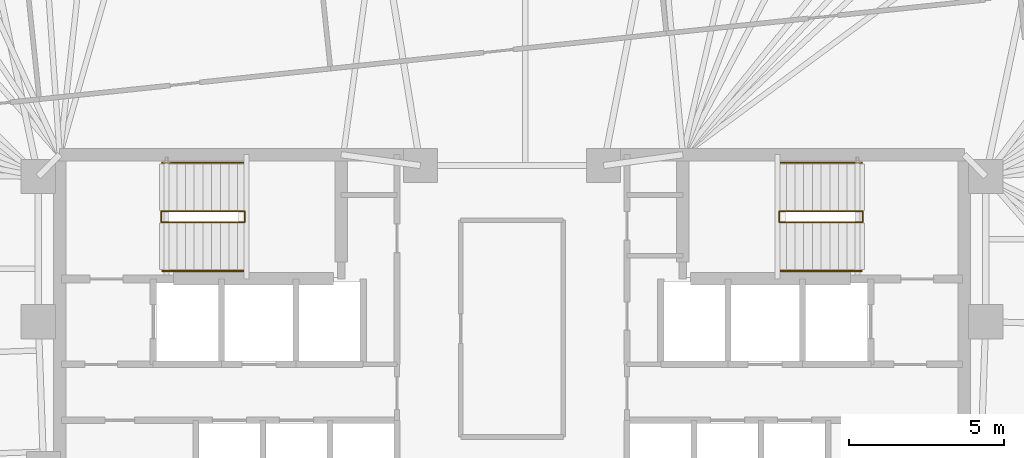
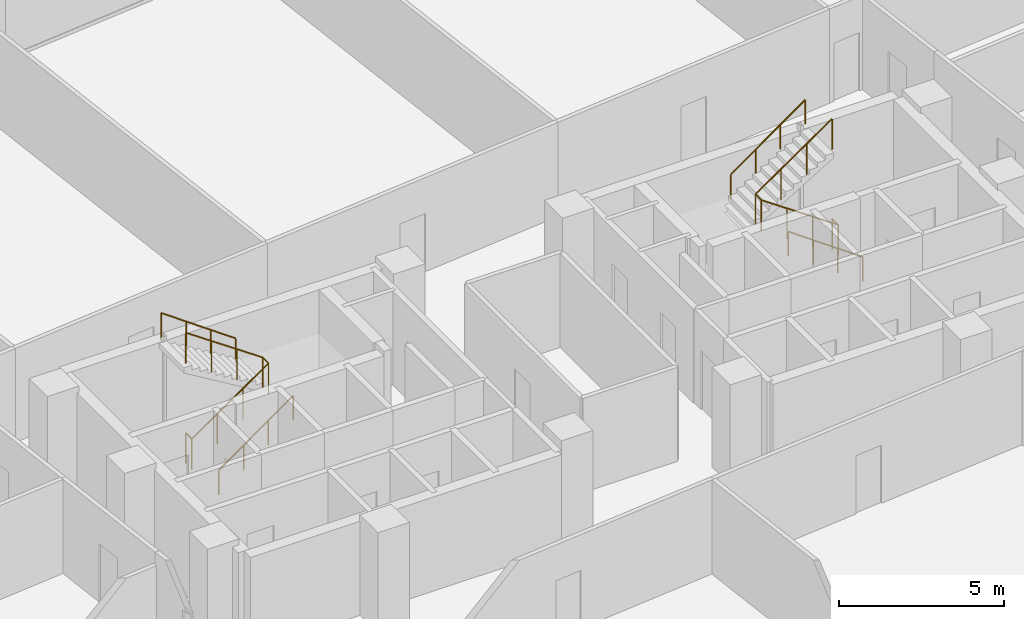
# One storey, part 18 of 18: 6 railings.
"""IFC4 building model written with IfcOpenShell, lengths in metres."""

from ifc_helpers import new_model, si_unit, direction, frame, origin, origin_2d, place, context, subcontext, project, spatial, circle, extrude, material, type_object, element, save


model = new_model("IFC4")

# Units and contexts
model_context = context("Model", 3, precision=1e-05, world=origin(), true_north=direction((0.0, 1.0)))
body_context = subcontext(model_context, "Body", "Model", "MODEL_VIEW")
ifc_project = project(units=[si_unit("LENGTHUNIT", "METRE"), si_unit("AREAUNIT", "SQUARE_METRE"), si_unit("VOLUMEUNIT", "CUBIC_METRE"), si_unit("PLANEANGLEUNIT", "RADIAN"), si_unit("MASSUNIT", "GRAM", prefix="KILO")], contexts=[model_context])

# Site, building, storey
site_placement = place(None, origin())
site = spatial("IfcSite", under=ifc_project, at=site_placement, CompositionType="ELEMENT")
building_placement = place(site_placement, origin())
building = spatial("IfcBuilding", under=site, at=building_placement, Name="Menara Jurai Vektor", CompositionType="ELEMENT")
storey_placement = place(building_placement, frame((0.0, 0.0, 120.699951171875)))
storey = spatial("IfcBuildingStorey", under=building, at=storey_placement, Name="L30", CompositionType="ELEMENT", Elevation=120.699951171875)

# Railings
ifc_material_1 = material(Name="Painted Galvanised Steel Balustrade", Category="steel")
railing_type_1 = type_object("IfcRailingType", Name="RAIL-STAIR-GUARD", PredefinedType="GUARDRAIL", material=ifc_material_1)
railing_1_placement = place(storey_placement, frame((-11.2900390625, 3.780029296875, 0.0)))
element("IfcRailing", 1, at=railing_1_placement, inside=storey, type_object=railing_type_1, Name="ST1 Stair Guardrail 1 L30", PredefinedType="GUARDRAIL", context=body_context, shape_type="SweptSolid", body=[
    extrude(circle(Radius=0.02392578125, at=origin_2d()), frame((0.0, 0.0, 1.1259765625), z_axis=(0.0, -1.0, 0.0), x_axis=(1.0, 0.0, 0.0)), (0.0, 0.0, 1.0), 0.360107421875),
    extrude(circle(Radius=0.02392578125, at=origin_2d()), frame((0.0, -0.360107421875, 1.1259765625), z_axis=(0.822944469782, 0.0, 0.568121817619), x_axis=(0.0, 1.0, 0.0)), (0.0, 0.0, 1.0), 3.256591796875),
    extrude(circle(Radius=0.02392578125, at=origin_2d()), frame((2.679931640625, -0.360107421875, 2.97607421875), z_axis=(0.0, 1.0, 0.0), x_axis=(-1.0, 0.0, 0.0)), (0.0, 0.0, 1.0), 0.360107421875),
    extrude(circle(Radius=0.02392578125, at=origin_2d()), frame((2.679931640625, 0.0, 2.97607421875), z_axis=(-0.822979520584, 0.0, 0.568071041948), x_axis=(0.0, -1.0, 0.0)), (0.0, 0.0, 1.0), 3.25634765625),
    extrude(circle(Radius=0.02099609375, at=origin_2d()), origin(), (0.0, 0.0, 1.0), 1.101806640625),
    extrude(circle(Radius=0.02099609375, at=origin_2d()), frame((0.0, -0.360107421875, 0.0)), (0.0, 0.0, 1.0), 1.101806640625),
    extrude(circle(Radius=0.02099609375, at=origin_2d()), frame((0.893310546875, -0.360107421875, 0.61669921875)), (0.0, 0.0, 1.0), 1.101806640625),
    extrude(circle(Radius=0.02099609375, at=origin_2d()), frame((1.78662109375, -0.360107421875, 1.2333984375)), (0.0, 0.0, 1.0), 1.101806640625),
    extrude(circle(Radius=0.02099609375, at=origin_2d()), frame((2.679931640625, -0.360107421875, 1.85009765625)), (0.0, 0.0, 1.0), 1.101806640625),
    extrude(circle(Radius=0.02099609375, at=origin_2d()), frame((2.679931640625, 0.0, 1.85009765625)), (0.0, 0.0, 1.0), 1.101806640625),
    extrude(circle(Radius=0.02099609375, at=origin_2d()), frame((1.78662109375, 0.0, 2.466796875)), (0.0, 0.0, 1.0), 1.101806640625),
    extrude(circle(Radius=0.02099609375, at=origin_2d()), frame((0.893310546875, 0.0, 3.083251953125)), (0.0, 0.0, 1.0), 1.101806640625),
    extrude(circle(Radius=0.02099609375, at=origin_2d()), frame((0.0, 0.0, 3.699951171875)), (0.0, 0.0, 1.0), 1.101806640625),
])
railing_2_placement = place(storey_placement, frame((11.2900390625, 3.780029296875, 0.0)))
element("IfcRailing", 2, at=railing_2_placement, inside=storey, type_object=railing_type_1, Name="ST2 Stair Guardrail 1 L30", PredefinedType="GUARDRAIL", context=body_context, shape_type="SweptSolid", body=[
    extrude(circle(Radius=0.02392578125, at=origin_2d()), frame((0.0, 0.0, 1.1259765625), z_axis=(0.0, -1.0, 0.0), x_axis=(1.0, 0.0, 0.0)), (0.0, 0.0, 1.0), 0.360107421875),
    extrude(circle(Radius=0.02392578125, at=origin_2d()), frame((0.0, -0.360107421875, 1.1259765625), z_axis=(-0.822944469782, 0.0, 0.568121817619), x_axis=(0.0, -1.0, 0.0)), (0.0, 0.0, 1.0), 3.256591796875),
    extrude(circle(Radius=0.02392578125, at=origin_2d()), frame((-2.679931640625, -0.360107421875, 2.97607421875), z_axis=(0.0, 1.0, 0.0), x_axis=(-1.0, 0.0, 0.0)), (0.0, 0.0, 1.0), 0.360107421875),
    extrude(circle(Radius=0.02392578125, at=origin_2d()), frame((-2.679931640625, 0.0, 2.97607421875), z_axis=(0.822979520584, 0.0, 0.568071041948), x_axis=(0.0, 1.0, 0.0)), (0.0, 0.0, 1.0), 3.25634765625),
    extrude(circle(Radius=0.02099609375, at=origin_2d()), origin(), (0.0, 0.0, 1.0), 1.101806640625),
    extrude(circle(Radius=0.02099609375, at=origin_2d()), frame((0.0, -0.360107421875, 0.0)), (0.0, 0.0, 1.0), 1.101806640625),
    extrude(circle(Radius=0.02099609375, at=origin_2d()), frame((-0.893310546875, -0.360107421875, 0.61669921875)), (0.0, 0.0, 1.0), 1.101806640625),
    extrude(circle(Radius=0.02099609375, at=origin_2d()), frame((-1.78662109375, -0.360107421875, 1.2333984375)), (0.0, 0.0, 1.0), 1.101806640625),
    extrude(circle(Radius=0.02099609375, at=origin_2d()), frame((-2.679931640625, -0.360107421875, 1.85009765625)), (0.0, 0.0, 1.0), 1.101806640625),
    extrude(circle(Radius=0.02099609375, at=origin_2d()), frame((-2.679931640625, 0.0, 1.85009765625)), (0.0, 0.0, 1.0), 1.101806640625),
    extrude(circle(Radius=0.02099609375, at=origin_2d()), frame((-1.78662109375, 0.0, 2.466796875)), (0.0, 0.0, 1.0), 1.101806640625),
    extrude(circle(Radius=0.02099609375, at=origin_2d()), frame((-0.893310546875, 0.0, 3.083251953125)), (0.0, 0.0, 1.0), 1.101806640625),
    extrude(circle(Radius=0.02099609375, at=origin_2d()), frame((0.0, 0.0, 3.699951171875)), (0.0, 0.0, 1.0), 1.101806640625),
])
ifc_material_2 = material(Name="Brushed Stainless Steel Handrail", Category="steel")
railing_type_2 = type_object("IfcRailingType", Name="RAIL-STAIR-HAND", PredefinedType="HANDRAIL", material=ifc_material_2)
railing_3_placement = place(storey_placement, frame((-11.25, 1.860107421875, 0.0)))
element("IfcRailing", 3, at=railing_3_placement, inside=storey, type_object=railing_type_2, Name="ST1 Stair Handrail 1 L30", PredefinedType="HANDRAIL", context=body_context, shape_type="SweptSolid", body=[
    extrude(circle(Radius=0.02392578125, at=origin_2d()), frame((0.0, 0.0, 0.89599609375), z_axis=(0.814786671209, 0.0, 0.579760882106), x_axis=(0.0, 1.0, 0.0)), (0.0, 0.0, 1.0), 3.191162109375),
    extrude(circle(Radius=0.02099609375, at=origin_2d()), origin(), (0.0, 0.0, 1.0), 0.871826171875),
    extrude(circle(Radius=0.02099609375, at=origin_2d()), frame((0.86669921875, 0.0, 0.61669921875)), (0.0, 0.0, 1.0), 0.871826171875),
    extrude(circle(Radius=0.02099609375, at=origin_2d()), frame((1.7333984375, 0.0, 1.2333984375)), (0.0, 0.0, 1.0), 0.871826171875),
    extrude(circle(Radius=0.02099609375, at=origin_2d()), frame((2.60009765625, 0.0, 1.85009765625)), (0.0, 0.0, 1.0), 0.871826171875),
])
railing_4_placement = place(storey_placement, frame((-8.64990234375, 5.340087890625, 1.85009765625)))
element("IfcRailing", 4, at=railing_4_placement, inside=storey, type_object=railing_type_2, Name="ST1 Stair Handrail 2 L30", PredefinedType="HANDRAIL", context=body_context, shape_type="SweptSolid", body=[
    extrude(circle(Radius=0.02392578125, at=origin_2d()), frame((0.0, 0.0, 0.89599609375), z_axis=(-0.814822811145, 0.0, 0.579710088267), x_axis=(0.0, -1.0, 0.0)), (0.0, 0.0, 1.0), 3.19091796875),
    extrude(circle(Radius=0.02099609375, at=origin_2d()), origin(), (0.0, 0.0, 1.0), 0.871826171875),
    extrude(circle(Radius=0.02099609375, at=origin_2d()), frame((-0.86669921875, 0.0, 0.61669921875)), (0.0, 0.0, 1.0), 0.871826171875),
    extrude(circle(Radius=0.02099609375, at=origin_2d()), frame((-1.7333984375, 0.0, 1.233154296875)), (0.0, 0.0, 1.0), 0.871826171875),
    extrude(circle(Radius=0.02099609375, at=origin_2d()), frame((-2.60009765625, 0.0, 1.849853515625)), (0.0, 0.0, 1.0), 0.871826171875),
])
railing_5_placement = place(storey_placement, frame((11.25, 1.860107421875, 0.0)))
element("IfcRailing", 5, at=railing_5_placement, inside=storey, type_object=railing_type_2, Name="ST2 Stair Handrail 1 L30", PredefinedType="HANDRAIL", context=body_context, shape_type="SweptSolid", body=[
    extrude(circle(Radius=0.02392578125, at=origin_2d()), frame((0.0, 0.0, 0.89599609375), z_axis=(-0.814786671209, 0.0, 0.579760882106), x_axis=(0.0, -1.0, 0.0)), (0.0, 0.0, 1.0), 3.191162109375),
    extrude(circle(Radius=0.02099609375, at=origin_2d()), origin(), (0.0, 0.0, 1.0), 0.871826171875),
    extrude(circle(Radius=0.02099609375, at=origin_2d()), frame((-0.86669921875, 0.0, 0.61669921875)), (0.0, 0.0, 1.0), 0.871826171875),
    extrude(circle(Radius=0.02099609375, at=origin_2d()), frame((-1.7333984375, 0.0, 1.2333984375)), (0.0, 0.0, 1.0), 0.871826171875),
    extrude(circle(Radius=0.02099609375, at=origin_2d()), frame((-2.60009765625, 0.0, 1.85009765625)), (0.0, 0.0, 1.0), 0.871826171875),
])
railing_6_placement = place(storey_placement, frame((8.64990234375, 5.340087890625, 1.85009765625)))
element("IfcRailing", 6, at=railing_6_placement, inside=storey, type_object=railing_type_2, Name="ST2 Stair Handrail 2 L30", PredefinedType="HANDRAIL", context=body_context, shape_type="SweptSolid", body=[
    extrude(circle(Radius=0.02392578125, at=origin_2d()), frame((0.0, 0.0, 0.89599609375), z_axis=(0.814822811145, 0.0, 0.579710088267), x_axis=(0.0, 1.0, 0.0)), (0.0, 0.0, 1.0), 3.19091796875),
    extrude(circle(Radius=0.02099609375, at=origin_2d()), origin(), (0.0, 0.0, 1.0), 0.871826171875),
    extrude(circle(Radius=0.02099609375, at=origin_2d()), frame((0.86669921875, 0.0, 0.61669921875)), (0.0, 0.0, 1.0), 0.871826171875),
    extrude(circle(Radius=0.02099609375, at=origin_2d()), frame((1.7333984375, 0.0, 1.233154296875)), (0.0, 0.0, 1.0), 0.871826171875),
    extrude(circle(Radius=0.02099609375, at=origin_2d()), frame((2.60009765625, 0.0, 1.849853515625)), (0.0, 0.0, 1.0), 0.871826171875),
])

save(model, "model.ifc")
